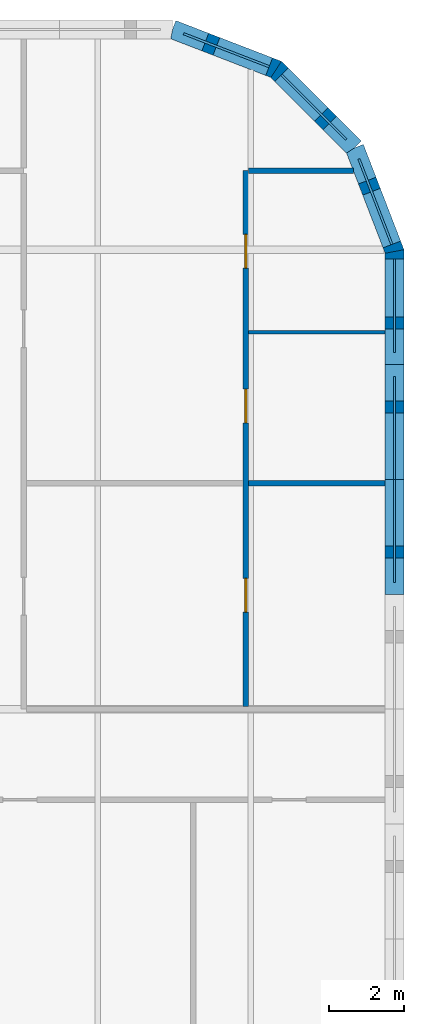
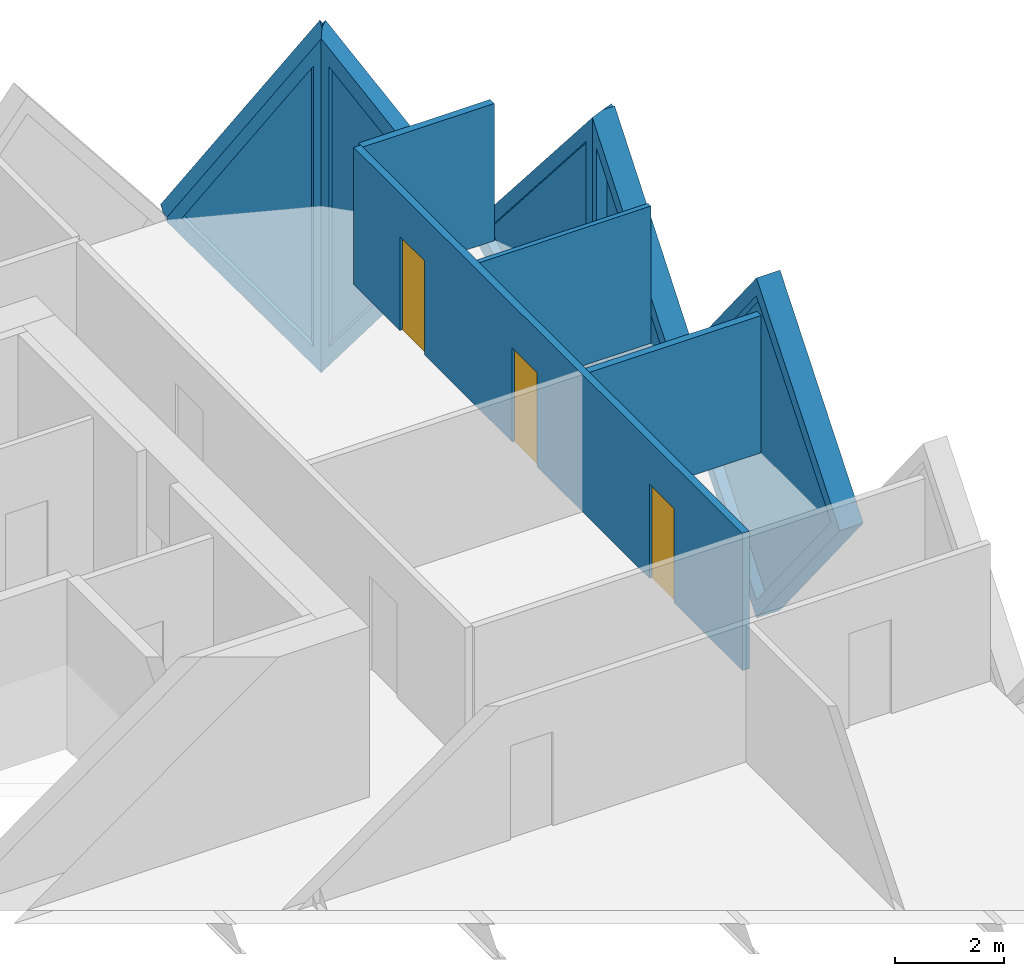
# One storey, part 16 of 19: 9 walls, 5 plates, 3 doors, 8 openings.
"""IFC4 building model written with IfcOpenShell, lengths in metres."""

from ifc_helpers import new_model, si_unit, direction, frame, frame_2d, origin, place, context, subcontext, project, spatial, polyline, rectangle, outline, extrude, faceted_brep, source, transform, mapped, material, layer, layer_set, type_object, element, fill, save


model = new_model("IFC4")

# Units and contexts
model_context = context("Model", 3, precision=1e-05, world=origin(), true_north=direction((0.0, 1.0)))
body_context = subcontext(model_context, "Body", "Model", "MODEL_VIEW")
ifc_project = project(units=[si_unit("LENGTHUNIT", "METRE"), si_unit("AREAUNIT", "SQUARE_METRE"), si_unit("VOLUMEUNIT", "CUBIC_METRE"), si_unit("PLANEANGLEUNIT", "RADIAN"), si_unit("MASSUNIT", "GRAM", prefix="KILO")], contexts=[model_context])

# Site, building, storey
site_placement = place(None, origin())
site = spatial("IfcSite", under=ifc_project, at=site_placement, CompositionType="ELEMENT")
building_placement = place(site_placement, origin())
building = spatial("IfcBuilding", under=site, at=building_placement, Name="Tessera Gate Towers", CompositionType="ELEMENT")
storey_placement = place(building_placement, frame((0.0, 0.0, 29.60009765625)))
storey = spatial("IfcBuildingStorey", under=building, at=storey_placement, Name="L06", CompositionType="ELEMENT", Elevation=29.60009765625)

# Wall
ifc_material_1 = material(Name="Gypsum board on steel studs", Category="steel")
ifc_layer_1 = layer(ifc_material_1, 0.10009765625)
ifc_layer_set_1 = layer_set([ifc_layer_1], Name="PARTITION 100")
wall_type_1 = type_object("IfcWallType", Name="PARTITION 100", PredefinedType="PARTITIONING", material=ifc_layer_set_1)
wall_1_placement = place(storey_placement, frame((130.075927734375, 46.610107421875, 0.0), z_axis=(0.0, 0.0, 1.0), x_axis=(1.0, 0.0, 0.0)))
element("IfcWall", 1, at=wall_1_placement, inside=storey, type_object=wall_type_1, Name="T2-L06-PW-040", PredefinedType="PARTITIONING", context=body_context, shape_type="SweptSolid", body=[
    extrude(rectangle(XDim=3.6240234375, YDim=0.10009765625, at=frame_2d((1.81201171875, 0.0))), origin(), (0.0, 0.0, 1.0), 3.06689453125),
])

# Wall, openings, doors
ifc_material_2 = material(Name="Gypsum board on steel studs, mineral wool", Category="steel")
ifc_layer_2 = layer(ifc_material_2, 0.14990234375)
ifc_layer_set_2 = layer_set([ifc_layer_2], Name="TENANCY WALL 150")
wall_type_2 = type_object("IfcWallType", Name="TENANCY WALL 150", PredefinedType="PARTITIONING", material=ifc_layer_set_2)
wall_2_placement = place(storey_placement, frame((130.0, 50.89990234375, 0.0), z_axis=(0.0, 0.0, 1.0), x_axis=(0.0, -1.0, 0.0)))
wall_2 = element("IfcWall", 2, at=wall_2_placement, inside=storey, type_object=wall_type_2, Name="T2-L06-PW-033", PredefinedType="PARTITIONING", context=body_context, shape_type="SweptSolid", body=[
    extrude(rectangle(XDim=14.223876953125, YDim=0.14990234375, at=frame_2d((7.11181640625, 0.0))), origin(), (0.0, 0.0, 1.0), 3.06689453125),
])
shared_shape_1 = source(origin(), body_context, "Body", "SweptSolid", [
    extrude(rectangle(XDim=0.89990234375, YDim=2.10009765625, at=frame_2d((0.449951171875, 1.050048828125))), frame((0.0, 0.0849609375, 0.0), z_axis=(0.0, -1.0, 0.0), x_axis=(1.0, 0.0, 0.0)), (0.0, 0.0, 1.0), 0.169921875),
])
opening_1_placement = place(wall_2_placement, frame((5.799072265625, 0.0, 0.0)))
opening_1 = element("IfcOpeningElement", 3, at=opening_1_placement, cuts=wall_2, Name="Opening D190-B03-02", PredefinedType="OPENING", context=body_context, shape_type="MappedRepresentation", body=[
    mapped(shared_shape_1, transform((0.0, 0.0, 0.0), scale=1.0)),
])
opening_2_placement = place(wall_2_placement, frame((10.823974609375, 0.0, 0.0)))
opening_2 = element("IfcOpeningElement", 4, at=opening_2_placement, cuts=wall_2, Name="Opening D190-B03-14", PredefinedType="OPENING", context=body_context, shape_type="MappedRepresentation", body=[
    mapped(shared_shape_1, transform((0.0, 0.0, 0.0), scale=1.0)),
])
opening_3_placement = place(wall_2_placement, frame((1.690185546875, 0.0, 0.0)))
opening_3 = element("IfcOpeningElement", 5, at=opening_3_placement, cuts=wall_2, Name="Opening D190-B03-15", PredefinedType="OPENING", context=body_context, shape_type="MappedRepresentation", body=[
    mapped(shared_shape_1, transform((0.0, 0.0, 0.0), scale=1.0)),
])
ifc_material_3 = material(Name="Timber door leaf in steel frame", Category="steel")
door_type = type_object("IfcDoorType", Name="INTERNAL DOOR 900 NOT RATED", OperationType="NOTDEFINED", PredefinedType="DOOR", material=ifc_material_3)
shared_shape_2 = source(origin(), body_context, "Body", "SweptSolid", [
    extrude(rectangle(XDim=0.89990234375, YDim=2.10009765625, at=frame_2d((0.449951171875, 1.050048828125))), frame((0.0, 0.02490234375, 0.0), z_axis=(0.0, -1.0, 0.0), x_axis=(1.0, 0.0, 0.0)), (0.0, 0.0, 1.0), 0.050048828125),
])
door_1_placement = place(opening_1_placement, origin())
door_1 = element("IfcDoor", 6, at=door_1_placement, inside=storey, type_object=door_type, Name="T2-L06-PD-002", OperationType="SINGLE_SWING_RIGHT", OverallHeight=2.10009765625, OverallWidth=0.89990234375, PredefinedType="DOOR", context=body_context, shape_type="MappedRepresentation", body=[
    mapped(shared_shape_2, transform((0.0, 0.0, 0.0), scale=1.0)),
])
fill(opening_1, door_1)
door_2_placement = place(opening_2_placement, origin())
door_2 = element("IfcDoor", 7, at=door_2_placement, inside=storey, type_object=door_type, Name="T2-L06-PD-018", OperationType="SINGLE_SWING_RIGHT", OverallHeight=2.10009765625, OverallWidth=0.89990234375, PredefinedType="DOOR", context=body_context, shape_type="MappedRepresentation", body=[
    mapped(shared_shape_2, transform((0.0, 0.0, 0.0), scale=1.0)),
])
fill(opening_2, door_2)
door_3_placement = place(opening_3_placement, origin())
door_3 = element("IfcDoor", 8, at=door_3_placement, inside=storey, type_object=door_type, Name="T2-L06-PD-020", OperationType="SINGLE_SWING_RIGHT", OverallHeight=2.10009765625, OverallWidth=0.89990234375, PredefinedType="DOOR", context=body_context, shape_type="MappedRepresentation", body=[
    mapped(shared_shape_2, transform((0.0, 0.0, 0.0), scale=1.0)),
])
fill(opening_3, door_3)

# Walls
wall_3_placement = place(storey_placement, frame((130.075927734375, 42.60009765625, 0.0), z_axis=(0.0, 0.0, 1.0), x_axis=(1.0, 0.0, 0.0)))
element("IfcWall", 9, at=wall_3_placement, inside=storey, type_object=wall_type_2, Name="T2-L06-PW-036", PredefinedType="PARTITIONING", context=body_context, shape_type="SweptSolid", body=[
    extrude(rectangle(XDim=3.6240234375, YDim=0.14990234375, at=frame_2d((1.81201171875, 0.0))), origin(), (0.0, 0.0, 1.0), 3.06689453125),
])
wall_4_placement = place(storey_placement, frame((130.075927734375, 50.89990234375, 0.0), z_axis=(0.0, 0.0, 1.0), x_axis=(1.0, 0.0, 0.0)))
element("IfcWall", 10, at=wall_4_placement, inside=storey, type_object=wall_type_2, Name="T2-L06-PW-044", PredefinedType="PARTITIONING", context=body_context, shape_type="SweptSolid", body=[
    extrude(rectangle(XDim=2.778076171875, YDim=0.14990234375, at=frame_2d((1.38916015625, 0.0))), origin(), (0.0, 0.0, 1.0), 3.06689453125),
])

# Wall, opening, plate
ifc_material_4 = material(Name="Precast concrete C60/75 white", Category="concrete")
ifc_layer_3 = layer(ifc_material_4, 0.5)
ifc_layer_set_3 = layer_set([ifc_layer_3], Name="TS1 tessera")
wall_type_3 = type_object("IfcWallType", Name="TS1 tessera", PredefinedType="SOLIDWALL", material=ifc_layer_set_3)
shared_shape_3 = source(origin(), body_context, "Body", "SweptSolid", [
    extrude(outline(polyline([(3.050048828125, 0.0), (6.10009765625, 3.800048828125), (3.050048828125, 7.599853515625), (0.0, 3.800048828125), (3.050048828125, 0.0)])), frame((0.0, 0.25, 0.0), z_axis=(0.0, -1.0, 0.0), x_axis=(1.0, 0.0, 0.0)), (0.0, 0.0, 1.0), 0.5),
])
wall_5_placement = place(storey_placement, frame((133.949951171875, 39.64990234375, -3.800048828125), z_axis=(0.0, 0.0, 1.0), x_axis=(0.0, 1.0, 0.0)))
wall_5 = element("IfcWall", 11, at=wall_5_placement, inside=storey, type_object=wall_type_3, Name="Precast tessera T2 TS1-0026", PredefinedType="SOLIDWALL", context=body_context, shape_type="MappedRepresentation", body=[
    mapped(shared_shape_3, transform((0.0, 0.0, 0.0), scale=1.0)),
])
shared_shape_4 = source(origin(), body_context, "Body", "SweptSolid", [
    extrude(outline(polyline([(3.050048828125, 0.3994140625), (5.779541015625, 3.800048828125), (3.050048828125, 7.200439453125), (0.320556640625, 3.800048828125), (3.050048828125, 0.3994140625)])), frame((0.0, 0.260009765625, 0.0), z_axis=(0.0, -1.0, 0.0), x_axis=(1.0, 0.0, 0.0)), (0.0, 0.0, 1.0), 0.52001953125),
])
opening_4_placement = place(wall_5_placement, origin())
opening_4 = element("IfcOpeningElement", 12, at=opening_4_placement, cuts=wall_5, Name="Opening T2-PL2-0046", PredefinedType="OPENING", context=body_context, shape_type="MappedRepresentation", body=[
    mapped(shared_shape_4, transform((0.0, 0.0, 0.0), scale=1.0)),
])
ifc_material_5 = material(Name="Low-e laminated glass", Category="glass")
ifc_layer_4 = layer(ifc_material_5, 0.06005859375)
ifc_layer_set_4 = layer_set([ifc_layer_4], Name="PL2 rhombic pane")
plate_type = type_object("IfcPlateType", Name="PL2 rhombic pane", PredefinedType="SHEET", material=ifc_layer_set_4)
shared_shape_5 = source(origin(), body_context, "Body", "SweptSolid", [
    extrude(outline(polyline([(3.050048828125, 0.3994140625), (5.779541015625, 3.800048828125), (3.050048828125, 7.200439453125), (0.320556640625, 3.800048828125), (3.050048828125, 0.3994140625)])), frame((0.0, 0.030029296875, 0.0), z_axis=(0.0, -1.0, 0.0), x_axis=(1.0, 0.0, 0.0)), (0.0, 0.0, 1.0), 0.06005859375),
])
plate_1_placement = place(opening_4_placement, origin())
plate_1 = element("IfcPlate", 13, at=plate_1_placement, inside=storey, type_object=plate_type, Name="Glass pane T2 PL2-0046", PredefinedType="SHEET", context=body_context, shape_type="MappedRepresentation", body=[
    mapped(shared_shape_5, transform((0.0, 0.0, 0.0), scale=1.0)),
])
fill(opening_4, plate_1)

ifc_material_6 = material(Name="Precast concrete C60/75 white", Category="concrete")
ifc_layer_5 = layer(ifc_material_6, 0.5)
ifc_layer_set_5 = layer_set([ifc_layer_5], Name="TS3 corner tessera")
wall_type_4 = type_object("IfcWallType", Name="TS3 corner tessera", PredefinedType="SOLIDWALL", material=ifc_layer_set_5)
shared_shape_6 = source(origin(), body_context, "Body", "Brep", [
    faceted_brep([(3.00341796875, -0.25, 0.0), (3.050048828125, -0.25, 0.06005859375), (3.050048828125, -0.25, 7.539794921875), (3.00341796875, -0.25, 7.599853515625), (0.0, -0.25, 3.800048828125), (0.0, 0.25, 3.800048828125), (2.956787109375, 0.25, 7.541015625), (2.956787109375, 0.25, 0.058837890625), (3.00341796875, 0.000244140625, 0.0), (3.00341796875, 0.000244140625, 7.599853515625)], [[[0, 1, 2, 3, 4]], [[5, 6, 7]], [[1, 0, 8]], [[9, 3, 2]], [[6, 5, 4, 3, 9]], [[5, 7, 8, 0, 4]], [[1, 8, 7, 6, 9, 2]]]),
])
wall_6_placement = place(storey_placement, frame((133.949951171875, 45.75, -3.800048828125), z_axis=(0.0, 0.0, 1.0), x_axis=(0.0, 1.0, 0.0)))
wall_6 = element("IfcWall", 14, at=wall_6_placement, inside=storey, type_object=wall_type_4, Name="Precast corner tessera T2 TS3-0069", PredefinedType="SOLIDWALL", context=body_context, shape_type="MappedRepresentation", body=[
    mapped(shared_shape_6, transform((0.0, 0.0, 0.0), scale=1.0)),
])
shared_shape_7 = source(origin(), body_context, "Body", "SweptSolid", [
    extrude(outline(polyline([(2.803466796875, 6.94384765625), (0.318603515625, 3.800048828125), (2.803466796875, 0.65625), (2.803466796875, 6.94384765625)])), frame((0.0, 0.260009765625, 0.0), z_axis=(0.0, -1.0, 0.0), x_axis=(1.0, 0.0, 0.0)), (0.0, 0.0, 1.0), 0.52001953125),
])
opening_5_placement = place(wall_6_placement, origin())
opening_5 = element("IfcOpeningElement", 15, at=opening_5_placement, cuts=wall_6, Name="Opening T2-PL2-0047", PredefinedType="OPENING", context=body_context, shape_type="MappedRepresentation", body=[
    mapped(shared_shape_7, transform((0.0, 0.0, 0.0), scale=1.0)),
])
shared_shape_8 = source(origin(), body_context, "Body", "SweptSolid", [
    extrude(outline(polyline([(2.803466796875, 6.94384765625), (0.318603515625, 3.800048828125), (2.803466796875, 0.65625), (2.803466796875, 6.94384765625)])), frame((0.0, 0.030029296875, 0.0), z_axis=(0.0, -1.0, 0.0), x_axis=(1.0, 0.0, 0.0)), (0.0, 0.0, 1.0), 0.06005859375),
])
plate_2_placement = place(opening_5_placement, origin())
plate_2 = element("IfcPlate", 16, at=plate_2_placement, inside=storey, type_object=plate_type, Name="Glass pane T2 PL2-0047", PredefinedType="SHEET", context=body_context, shape_type="MappedRepresentation", body=[
    mapped(shared_shape_8, transform((0.0, 0.0, 0.0), scale=1.0)),
])
fill(opening_5, plate_2)

shared_shape_9 = source(origin(), body_context, "Body", "Brep", [
    faceted_brep([(0.046630859375, -0.25, 0.0), (2.9970703125, -0.25, 3.800048828125), (0.046630859375, -0.25, 7.599853515625), (0.0, -0.25, 7.541015625), (0.0, -0.25, 0.058837890625), (0.09326171875, 0.25, 7.539794921875), (2.9443359375, 0.25, 3.8681640625), (2.9443359375, 0.25, 3.73193359375), (0.09326171875, 0.25, 0.06005859375), (2.9970703125, 0.00048828125, 3.800048828125), (0.046630859375, 0.0, 0.0), (0.046630859375, 0.0, 7.599853515625)], [[[0, 1, 2, 3, 4]], [[5, 6, 7, 8]], [[8, 7, 9, 1, 0, 10]], [[6, 5, 11, 2, 1, 9]], [[3, 2, 11]], [[10, 0, 4]], [[8, 10, 4, 3, 11, 5]], [[7, 6, 9]]]),
])
wall_7_placement = place(storey_placement, frame((133.966796875, 48.7099609375, -3.800048828125), z_axis=(0.0, 0.0, 1.0), x_axis=(-0.359901446078, 0.932990326376, 0.0)))
wall_7 = element("IfcWall", 17, at=wall_7_placement, inside=storey, type_object=wall_type_4, Name="Precast corner tessera T2 TS3-0070", PredefinedType="SOLIDWALL", context=body_context, shape_type="MappedRepresentation", body=[
    mapped(shared_shape_9, transform((0.0, 0.0, 0.0), scale=1.0)),
])
shared_shape_10 = source(origin(), body_context, "Body", "SweptSolid", [
    extrude(outline(polyline([(0.24658203125, 0.665283203125), (2.6806640625, 3.800048828125), (0.24658203125, 6.934814453125), (0.24658203125, 0.665283203125)])), frame((0.0, 0.260009765625, 0.0), z_axis=(0.0, -1.0, 0.0), x_axis=(1.0, 0.0, 0.0)), (0.0, 0.0, 1.0), 0.52001953125),
])
opening_6_placement = place(wall_7_placement, origin())
opening_6 = element("IfcOpeningElement", 18, at=opening_6_placement, cuts=wall_7, Name="Opening T2-PL2-0048", PredefinedType="OPENING", context=body_context, shape_type="MappedRepresentation", body=[
    mapped(shared_shape_10, transform((0.0, 0.0, 0.0), scale=1.0)),
])
shared_shape_11 = source(origin(), body_context, "Body", "SweptSolid", [
    extrude(outline(polyline([(0.24658203125, 0.665283203125), (2.6806640625, 3.800048828125), (0.24658203125, 6.934814453125), (0.24658203125, 0.665283203125)])), frame((0.0, 0.030029296875, 0.0), z_axis=(0.0, -1.0, 0.0), x_axis=(1.0, 0.0, 0.0)), (0.0, 0.0, 1.0), 0.06005859375),
])
plate_3_placement = place(opening_6_placement, origin())
plate_3 = element("IfcPlate", 19, at=plate_3_placement, inside=storey, type_object=plate_type, Name="Glass pane T2 PL2-0048", PredefinedType="SHEET", context=body_context, shape_type="MappedRepresentation", body=[
    mapped(shared_shape_11, transform((0.0, 0.0, 0.0), scale=1.0)),
])
fill(opening_6, plate_3)

shared_shape_12 = source(origin(), body_context, "Body", "Brep", [
    faceted_brep([(0.052978515625, -0.25, 0.0), (3.00341796875, -0.25, 3.800048828125), (0.052978515625, -0.25, 7.599853515625), (0.0, -0.25, 7.531494140625), (0.0, -0.25, 0.068359375), (0.10595703125, 0.25, 7.53173828125), (2.95703125, 0.25, 3.85986328125), (2.95703125, 0.25, 3.740234375), (0.10595703125, 0.25, 0.068115234375), (3.00341796875, 0.00048828125, 3.800048828125), (0.052978515625, 0.0, 0.0), (0.052978515625, 0.0, 7.599853515625)], [[[0, 1, 2, 3, 4]], [[5, 6, 7, 8]], [[8, 7, 9, 1, 0, 10]], [[6, 5, 11, 2, 1, 9]], [[3, 2, 11]], [[10, 0, 4]], [[8, 10, 4, 3, 11, 5]], [[7, 6, 9]]]),
])
wall_8_placement = place(storey_placement, frame((130.855712890625, 53.569091796875, -3.800048828125), z_axis=(0.0, 0.0, 1.0), x_axis=(-0.933007896601, 0.359855894603, 0.0)))
wall_8 = element("IfcWall", 20, at=wall_8_placement, inside=storey, type_object=wall_type_4, Name="Precast corner tessera T2 TS3-0072", PredefinedType="SOLIDWALL", context=body_context, shape_type="MappedRepresentation", body=[
    mapped(shared_shape_12, transform((0.0, 0.0, 0.0), scale=1.0)),
])
shared_shape_13 = source(origin(), body_context, "Body", "SweptSolid", [
    extrude(outline(polyline([(0.2529296875, 0.665283203125), (2.68701171875, 3.800048828125), (0.2529296875, 6.934814453125), (0.2529296875, 0.665283203125)])), frame((0.0, 0.260009765625, 0.0), z_axis=(0.0, -1.0, 0.0), x_axis=(1.0, 0.0, 0.0)), (0.0, 0.0, 1.0), 0.52001953125),
])
opening_7_placement = place(wall_8_placement, origin())
opening_7 = element("IfcOpeningElement", 21, at=opening_7_placement, cuts=wall_8, Name="Opening T2-PL2-0050", PredefinedType="OPENING", context=body_context, shape_type="MappedRepresentation", body=[
    mapped(shared_shape_13, transform((0.0, 0.0, 0.0), scale=1.0)),
])
shared_shape_14 = source(origin(), body_context, "Body", "SweptSolid", [
    extrude(outline(polyline([(0.2529296875, 0.665283203125), (2.68701171875, 3.800048828125), (0.2529296875, 6.934814453125), (0.2529296875, 0.665283203125)])), frame((0.0, 0.030029296875, 0.0), z_axis=(0.0, -1.0, 0.0), x_axis=(1.0, 0.0, 0.0)), (0.0, 0.0, 1.0), 0.06005859375),
])
plate_4_placement = place(opening_7_placement, origin())
plate_4 = element("IfcPlate", 22, at=plate_4_placement, inside=storey, type_object=plate_type, Name="Glass pane T2 PL2-0050", PredefinedType="SHEET", context=body_context, shape_type="MappedRepresentation", body=[
    mapped(shared_shape_14, transform((0.0, 0.0, 0.0), scale=1.0)),
])
fill(opening_7, plate_4)

shared_shape_15 = source(origin(), body_context, "Body", "Brep", [
    faceted_brep([(2.944091796875, -0.25, 0.0), (2.9970703125, -0.25, 0.068115234375), (2.9970703125, -0.25, 7.53173828125), (2.944091796875, -0.25, 7.599853515625), (0.0, -0.25, 3.800048828125), (0.052978515625, 0.25, 3.868408203125), (2.89111328125, 0.25, 7.53173828125), (2.89111328125, 0.25, 0.068115234375), (0.052978515625, 0.25, 3.731689453125), (2.944091796875, 0.000244140625, 0.0), (2.944091796875, 0.000244140625, 7.599853515625), (0.0, 0.0, 3.800048828125)], [[[0, 1, 2, 3, 4]], [[5, 6, 7, 8]], [[1, 0, 9]], [[10, 3, 2]], [[6, 5, 11, 4, 3, 10]], [[8, 7, 9, 0, 4, 11]], [[8, 11, 5]], [[1, 9, 7, 6, 10, 2]]]),
])
wall_9_placement = place(storey_placement, frame((132.88818359375, 51.50634765625, -3.800048828125), z_axis=(0.0, 0.0, 1.0), x_axis=(-0.707147509625, 0.707066050402, 0.0)))
wall_9 = element("IfcWall", 23, at=wall_9_placement, inside=storey, type_object=wall_type_4, Name="Precast corner tessera T2 TS3-0071", PredefinedType="SOLIDWALL", context=body_context, shape_type="MappedRepresentation", body=[
    mapped(shared_shape_15, transform((0.0, 0.0, 0.0), scale=1.0)),
])
shared_shape_16 = source(origin(), body_context, "Body", "SweptSolid", [
    extrude(outline(polyline([(2.744140625, 6.93359375), (0.316162109375, 3.800048828125), (2.744140625, 0.666259765625), (2.744140625, 6.93359375)])), frame((0.0, 0.260009765625, 0.0), z_axis=(0.0, -1.0, 0.0), x_axis=(1.0, 0.0, 0.0)), (0.0, 0.0, 1.0), 0.52001953125),
])
opening_8_placement = place(wall_9_placement, origin())
opening_8 = element("IfcOpeningElement", 24, at=opening_8_placement, cuts=wall_9, Name="Opening T2-PL2-0049", PredefinedType="OPENING", context=body_context, shape_type="MappedRepresentation", body=[
    mapped(shared_shape_16, transform((0.0, 0.0, 0.0), scale=1.0)),
])
shared_shape_17 = source(origin(), body_context, "Body", "SweptSolid", [
    extrude(outline(polyline([(2.744140625, 6.93359375), (0.316162109375, 3.800048828125), (2.744140625, 0.666259765625), (2.744140625, 6.93359375)])), frame((0.0, 0.030029296875, 0.0), z_axis=(0.0, -1.0, 0.0), x_axis=(1.0, 0.0, 0.0)), (0.0, 0.0, 1.0), 0.06005859375),
])
plate_5_placement = place(opening_8_placement, origin())
plate_5 = element("IfcPlate", 25, at=plate_5_placement, inside=storey, type_object=plate_type, Name="Glass pane T2 PL2-0049", PredefinedType="SHEET", context=body_context, shape_type="MappedRepresentation", body=[
    mapped(shared_shape_17, transform((0.0, 0.0, 0.0), scale=1.0)),
])
fill(opening_8, plate_5)

save(model, "model.ifc")
